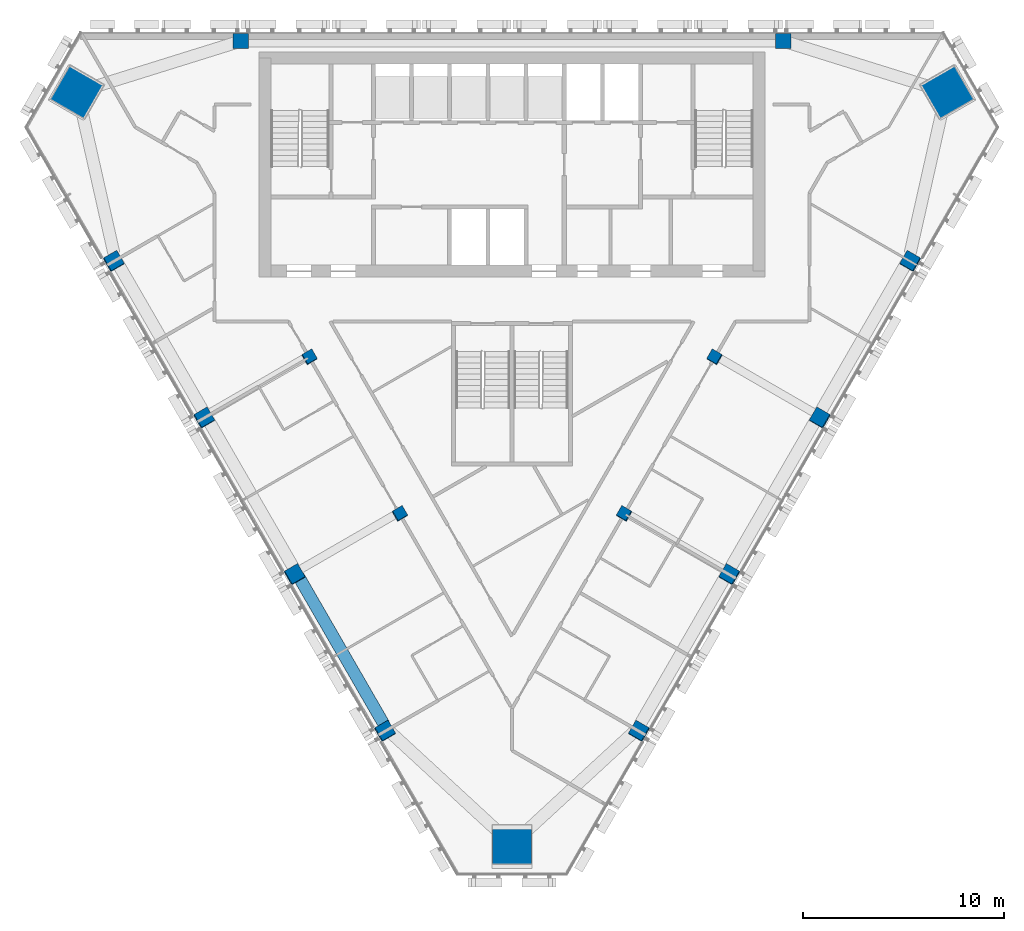
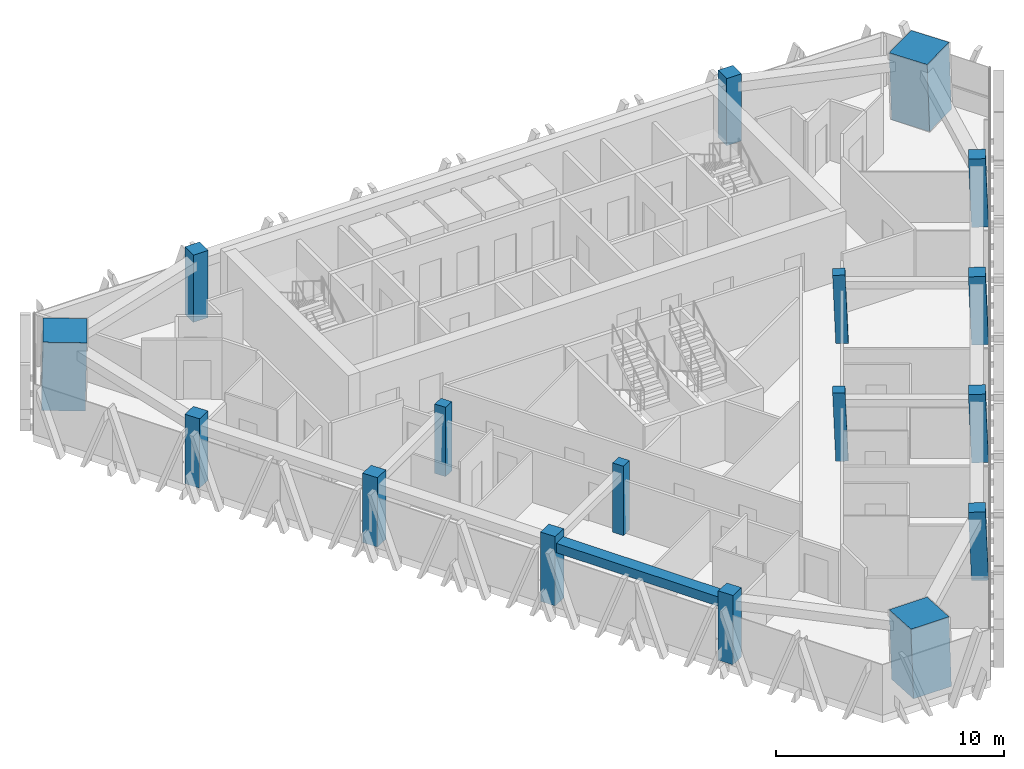
# One storey, part 1 of 14: 17 columns, 1 beam.
"""IFC4 building model written with IfcOpenShell, lengths in metres."""

from ifc_helpers import new_model, si_unit, direction, frame, origin, origin_2d, place, context, subcontext, project, spatial, rectangle, extrude, material, material_profile, profile_set, type_object, element, save


model = new_model("IFC4")

# Units and contexts
model_context = context("Model", 3, precision=1e-05, world=origin(), true_north=direction((0.0, 1.0)))
body_context = subcontext(model_context, "Body", "Model", "MODEL_VIEW")
ifc_project = project(units=[si_unit("LENGTHUNIT", "METRE"), si_unit("AREAUNIT", "SQUARE_METRE"), si_unit("VOLUMEUNIT", "CUBIC_METRE"), si_unit("PLANEANGLEUNIT", "RADIAN"), si_unit("MASSUNIT", "GRAM", prefix="KILO")], contexts=[model_context])

# Site, building, storey
site_placement = place(None, origin())
site = spatial("IfcSite", under=ifc_project, at=site_placement, CompositionType="ELEMENT")
building_placement = place(site_placement, origin())
building = spatial("IfcBuilding", under=site, at=building_placement, Name="Altiplano Prism Tower", CompositionType="ELEMENT")
storey_placement = place(building_placement, frame((0.0, 0.0, 239.199951171875)))
storey = spatial("IfcBuildingStorey", under=building, at=storey_placement, Name="L61", CompositionType="ELEMENT", Elevation=239.199951171875)

# Columns
ifc_material_1 = material(Name="Concrete C60/75", Category="concrete")
ifc_material_profile_1 = material_profile(ifc_material_1, rectangle(XDim=0.550048828125, YDim=0.550048828125, at=origin_2d()), Name="Inner column 550")
ifc_profile_set_1 = profile_set([ifc_material_profile_1], Name="Concrete C60/75")
column_type_1 = type_object("IfcColumnType", Name="Inner column 550", PredefinedType="COLUMN", material=ifc_profile_set_1)
for number, where, z_axis, x_axis, name in (
    (1, (74.9072265625, 88.81298828125, -0.0166015625), (0.022222852987, 0.038483477124, 0.999012095419), (-0.865643594707, -0.499179379186, 0.038485248318), "Inner column I12 L61"),
    (2, (79.4072265625, 81.018798828125, -0.0166015625), (0.022222910879, 0.038415824599, 0.999014697916), (-0.866025559342, -0.498520326662, 0.038434547893), "Inner column I13 L61"),
    (3, (90.5927734375, 81.018798828125, -0.0166015625), (-0.022222910879, 0.038415824599, 0.999014697916), (-0.499505628395, -0.866026390086, 0.022190513195), "Inner column I22 L61"),
    (4, (95.0927734375, 88.81298828125, -0.0166015625), (-0.022222852987, 0.038483477124, 0.999012095419), (-0.500167283764, -0.86564367345, 0.022219785517), "Inner column I23 L61"),
):
    element("IfcColumn", number, at=place(storey_placement, frame(where, z_axis=z_axis, x_axis=x_axis)), inside=storey, type_object=column_type_1, Name=name, PredefinedType="COLUMN", context=body_context, shape_type="SweptSolid", body=[
        extrude(rectangle(XDim=0.550048828125, YDim=0.550048828125, at=origin_2d()), origin(), (0.0, 0.0, 1.0), 3.603515625),
    ])
ifc_material_2 = material(Name="Concrete C70/85", Category="concrete")
ifc_material_profile_2 = material_profile(ifc_material_2, rectangle(XDim=1.919921875, YDim=1.919921875, at=origin_2d()), Name="Mega column infill 2000")
ifc_profile_set_2 = profile_set([ifc_material_profile_2], Name="Concrete C70/85")
column_type_2 = type_object("IfcColumnType", Name="Mega column infill 2000", PredefinedType="COLUMN", material=ifc_profile_set_2)
column_1_placement = place(storey_placement, frame((63.280029296875, 101.984375, 0.0), z_axis=(0.028334066552, 0.009286524205, 0.999555371723), x_axis=(-0.866548432855, 0.498694882943, 0.019930560557)))
element("IfcColumn", 5, at=column_1_placement, inside=storey, type_object=column_type_2, Name="Mega column M0 L61", PredefinedType="COLUMN", context=body_context, shape_type="SweptSolid", body=[
    extrude(rectangle(XDim=1.919921875, YDim=1.919921875, at=origin_2d()), origin(), (0.0, 0.0, 1.0), 3.601806640625),
])
column_2_placement = place(storey_placement, frame((85.0, 64.3642578125, 0.0), z_axis=(0.0, 0.058356907999, 0.998295783467), x_axis=(-1.0, 0.0, 0.0)))
element("IfcColumn", 6, at=column_2_placement, inside=storey, type_object=column_type_2, Name="Mega column M1 L61", PredefinedType="COLUMN", context=body_context, shape_type="SweptSolid", body=[
    extrude(rectangle(XDim=1.919921875, YDim=1.919921875, at=origin_2d()), origin(), (0.0, 0.0, 1.0), 3.606201171875),
])
column_3_placement = place(storey_placement, frame((106.719970703125, 101.984375, 0.0), z_axis=(-0.028334066552, 0.009286524205, 0.999555371723), x_axis=(0.498285552857, -0.866729299586, 0.022177219255)))
element("IfcColumn", 7, at=column_3_placement, inside=storey, type_object=column_type_2, Name="Mega column M2 L61", PredefinedType="COLUMN", context=body_context, shape_type="SweptSolid", body=[
    extrude(rectangle(XDim=1.919921875, YDim=1.919921875, at=origin_2d()), origin(), (0.0, 0.0, 1.0), 3.601806640625),
])
ifc_material_profile_3 = material_profile(ifc_material_1, rectangle(XDim=0.75, YDim=0.75, at=origin_2d()), Name="Perimeter column 750")
ifc_profile_set_3 = profile_set([ifc_material_profile_3], Name="Concrete C60/75")
column_type_3 = type_object("IfcColumnType", Name="Perimeter column 750", PredefinedType="COLUMN", material=ifc_profile_set_3)
for number, where, z_axis, x_axis, name in (
    (8, (98.5, 104.550048828125, 0.0), (0.0, 0.0, 1.0), (1.0, 0.0, 0.0), "Perimeter column P01 L61"),
    (9, (71.5, 104.550048828125, 0.0), (0.0, 0.0, 1.0), (1.0, 0.0, 0.0), "Perimeter column P04 L61"),
):
    element("IfcColumn", number, at=place(storey_placement, frame(where, z_axis=z_axis, x_axis=x_axis)), inside=storey, type_object=column_type_3, Name=name, PredefinedType="COLUMN", context=body_context, shape_type="SweptSolid", body=[
        extrude(rectangle(XDim=0.75, YDim=0.75, at=origin_2d()), origin(), (0.0, 0.0, 1.0), 3.60009765625),
    ])
for number, where, z_axis, x_axis, name in (
    (10, (65.167724609375, 93.58203125, -0.022705078125), (0.02215369191, 0.038413282303, 0.999016333038), (-0.86536622594, -0.499666419476, 0.038402659414), "Perimeter column P11 L61"),
    (11, (69.667724609375, 85.787841796875, -0.022705078125), (0.02215369191, 0.038413282303, 0.999016333038), (-0.86536622594, -0.499666419476, 0.038402659414), "Perimeter column P12 L61"),
    (12, (74.167724609375, 77.99365234375, -0.022705078125), (0.02215369191, 0.038413282303, 0.999016333038), (-0.86536622594, -0.499666419476, 0.038402659414), "Perimeter column P13 L61"),
    (13, (78.667724609375, 70.19921875, -0.022705078125), (0.022153634206, 0.038480930364, 0.999013730882), (-0.86498397236, -0.500323958998, 0.038453395339), "Perimeter column P14 L61"),
    (14, (91.332275390625, 70.19921875, -0.022705078125), (-0.022153634206, 0.038480930364, 0.999013730882), (-0.501310227356, -0.864982747834, 0.022201394034), "Perimeter column P21 L61"),
    (15, (95.832275390625, 77.99365234375, -0.022705078125), (-0.02215369191, 0.038413282303, 0.999016333038), (-0.500650086324, -0.865365754459, 0.022172101217), "Perimeter column P22 L61"),
    (16, (100.332275390625, 85.787841796875, -0.022705078125), (-0.02215369191, 0.038413282303, 0.999016333038), (-0.500650086324, -0.865365754459, 0.022172101217), "Perimeter column P23 L61"),
    (17, (104.832275390625, 93.58203125, -0.022705078125), (-0.02215369191, 0.038413282303, 0.999016333038), (-0.500654723088, -0.865363077154, 0.022171895449), "Perimeter column P24 L61"),
):
    element("IfcColumn", number, at=place(storey_placement, frame(where, z_axis=z_axis, x_axis=x_axis)), inside=storey, type_object=column_type_3, Name=name, PredefinedType="COLUMN", context=body_context, shape_type="SweptSolid", body=[
        extrude(rectangle(XDim=0.75, YDim=0.75, at=origin_2d()), origin(), (0.0, 0.0, 1.0), 3.603759765625),
    ])

# Beam
ifc_material_profile_4 = material_profile(ifc_material_1, rectangle(XDim=0.60009765625, YDim=0.5, at=origin_2d()), Name="Edge beam 600x500")
ifc_profile_set_4 = profile_set([ifc_material_profile_4], Name="Concrete C60/75")
beam_type = type_object("IfcBeamType", Name="Edge beam 600x500", PredefinedType="SPANDREL", material=ifc_profile_set_4)
beam_placement = place(storey_placement, frame((74.375732421875, 77.912109375, 2.949951171875), z_axis=(0.49998963237, -0.866031389456, 0.0), x_axis=(0.866031389456, 0.49998963237, 0.0)))
element("IfcBeam", 18, at=beam_placement, inside=storey, type_object=beam_type, Name="Edge beam P13-P14 L62", PredefinedType="SPANDREL", context=body_context, shape_type="SweptSolid", body=[
    extrude(rectangle(XDim=0.60009765625, YDim=0.5, at=origin_2d()), origin(), (0.0, 0.0, 1.0), 8.489990234375),
])

save(model, "model.ifc")
